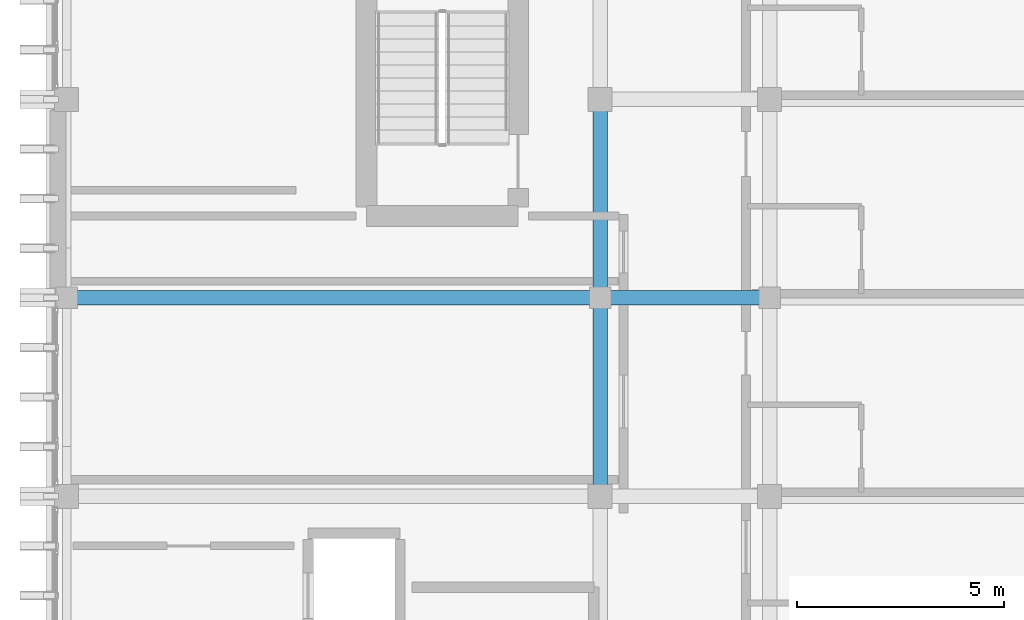
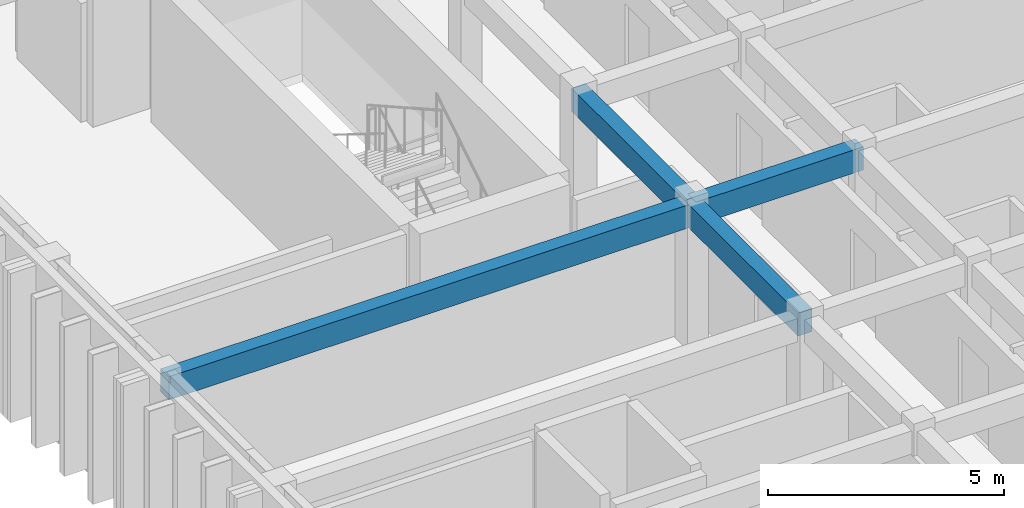
# One storey, part 20 of 49: 4 beams.
"""IFC4 building model written with IfcOpenShell, lengths in metres."""

from ifc_helpers import new_model, si_unit, direction, frame, origin, origin_2d, place, context, subcontext, project, spatial, rectangle, extrude, material, material_profile, profile_set, type_object, element, save


model = new_model("IFC4")

# Units and contexts
model_context = context("Model", 3, precision=1e-05, world=origin(), true_north=direction((0.0, 1.0)))
body_context = subcontext(model_context, "Body", "Model", "MODEL_VIEW")
ifc_project = project(units=[si_unit("LENGTHUNIT", "METRE"), si_unit("AREAUNIT", "SQUARE_METRE"), si_unit("VOLUMEUNIT", "CUBIC_METRE"), si_unit("PLANEANGLEUNIT", "RADIAN"), si_unit("MASSUNIT", "GRAM", prefix="KILO")], contexts=[model_context])

# Site, building, storey
site_placement = place(None, origin())
site = spatial("IfcSite", under=ifc_project, at=site_placement, CompositionType="ELEMENT")
building_placement = place(site_placement, origin())
building = spatial("IfcBuilding", under=site, at=building_placement, Name="Nakhvara Creek Congress Hotel", CompositionType="ELEMENT")
storey_placement = place(building_placement, frame((0.0, 0.0, 46.5)))
storey = spatial("IfcBuildingStorey", under=building, at=storey_placement, Name="L11", CompositionType="ELEMENT", Elevation=46.5)

# Beams
ifc_material = material(Name="Concrete C40/50", Category="concrete")
ifc_material_profile = material_profile(ifc_material, rectangle(XDim=0.35009765625, YDim=0.60009765625, at=origin_2d()), Name="RC-BM 350x600", Category="LoadBearing")
ifc_profile_set = profile_set([ifc_material_profile], Name="Concrete C40/50")
beam_type = type_object("IfcBeamType", Name="BM-RC-350X600", PredefinedType="BEAM", material=ifc_profile_set)
for number, where, z_axis, x_axis, name in (
    (1, (162.35009765625, 96.0, 3.3798828125), (0.0, 1.0, 0.0), (-1.0, 0.0, 0.0), "Beam B07-L11-2736"),
    (2, (162.35009765625, 100.800048828125, 3.3798828125), (0.0, 1.0, 0.0), (-1.0, 0.0, 0.0), "Beam B07-L11-2738"),
):
    element("IfcBeam", number, at=place(storey_placement, frame(where, z_axis=z_axis, x_axis=x_axis)), inside=storey, type_object=beam_type, Name=name, PredefinedType="BEAM", context=body_context, shape_type="SweptSolid", body=[
        extrude(rectangle(XDim=0.35009765625, YDim=0.60009765625, at=origin_2d()), origin(), (0.0, 0.0, 1.0), 4.800048828125),
    ])
beam_1_placement = place(storey_placement, frame((149.449951171875, 100.800048828125, 3.3798828125), z_axis=(1.0, 0.0, 0.0), x_axis=(0.0, 1.0, 0.0)))
element("IfcBeam", 3, at=beam_1_placement, inside=storey, type_object=beam_type, Name="Beam B07-L11-2767", PredefinedType="BEAM", context=body_context, shape_type="SweptSolid", body=[
    extrude(rectangle(XDim=0.35009765625, YDim=0.60009765625, at=origin_2d()), origin(), (0.0, 0.0, 1.0), 12.900146484375),
])
beam_2_placement = place(storey_placement, frame((162.35009765625, 100.800048828125, 3.3798828125), z_axis=(1.0, 0.0, 0.0), x_axis=(0.0, 1.0, 0.0)))
element("IfcBeam", 4, at=beam_2_placement, inside=storey, type_object=beam_type, Name="Beam B07-L11-2772", PredefinedType="BEAM", context=body_context, shape_type="SweptSolid", body=[
    extrude(rectangle(XDim=0.35009765625, YDim=0.60009765625, at=origin_2d()), origin(), (0.0, 0.0, 1.0), 4.099853515625),
])

save(model, "model.ifc")
